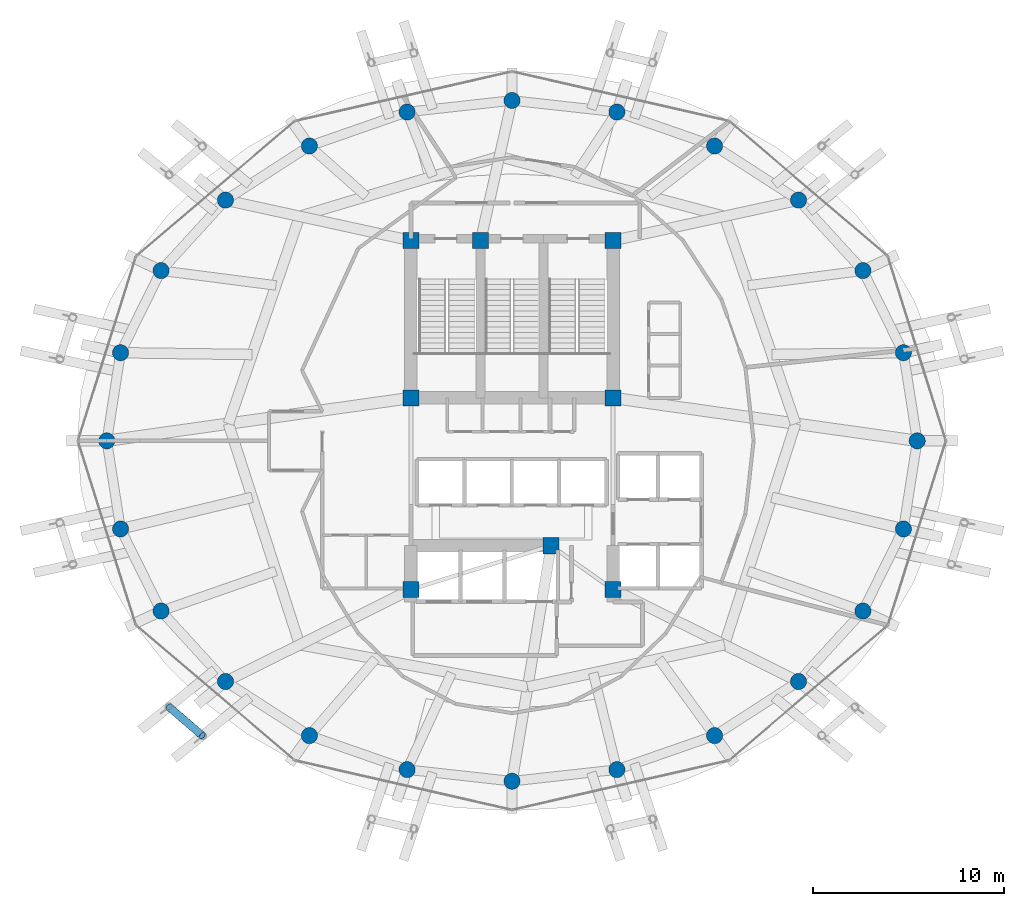
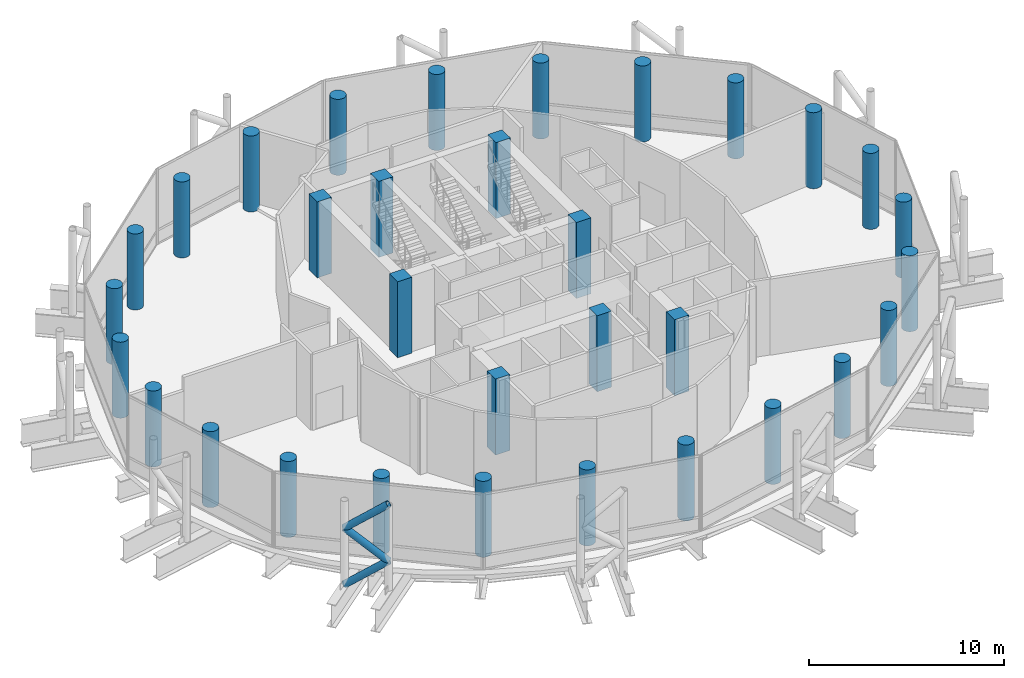
# One storey, part 1 of 31: 32 columns, 3 members.
"""IFC4 building model written with IfcOpenShell, lengths in metres."""

import ifcopenshell
import ifcopenshell.guid

model = None  # the IFC model being written
_history = None  # IfcOwnerHistory: only IFC2X3 demands one
_inside = {}  # id of a spatial element -> (the spatial element, [elements in it])
_under = {}  # id of a project, library or spatial element -> (it, [spatial elements below it])
_declared = {}  # id of a project -> (the project, [libraries it declares])
_typed = {}  # id of a type object -> (the type object, [elements of that type])
_made_of = {}  # id of a material, layer set ... -> (it, [elements and type objects made of it])


def new_model(schema):
    """Start an empty IFC model of exactly this schema.

    Asked for "IFC4X3", IfcOpenShell would pick the latest addendum, in which some entities
    have other attributes; the version numbers below select the first issue.
    IFC2X3 requires an IfcOwnerHistory on every rooted entity: one is made here for all.
    """
    global model, _history
    if schema == "IFC4X3":
        model = ifcopenshell.file(schema_version=(4, 3, 0, 0))
    else:
        model = ifcopenshell.file(schema=schema)
    _inside.clear()
    _under.clear()
    _declared.clear()
    _typed.clear()
    _made_of.clear()
    _history = None
    if model.schema == "IFC2X3":
        org = make("IfcOrganization", Name="unknown")
        user = make(
            "IfcPersonAndOrganization",
            ThePerson=make("IfcPerson", FamilyName="unknown"),
            TheOrganization=org,
        )
        app = make(
            "IfcApplication",
            ApplicationDeveloper=org,
            Version="unknown",
            ApplicationFullName="unknown",
            ApplicationIdentifier="unknown",
        )
        _history = make(
            "IfcOwnerHistory",
            OwningUser=user,
            OwningApplication=app,
            ChangeAction="ADDED",
            CreationDate=0,
        )
    return model


def make(cls, **values):
    """One entity of the class cls with the attributes given. An attribute that is None is left unset."""
    return model.create_entity(
        cls, **{name: value for name, value in values.items() if value is not None}
    )


def rooted(cls, **values):
    """An entity with a GlobalId (a new one), such as an element, a storey or a relation."""
    return make(cls, GlobalId=ifcopenshell.guid.new(), OwnerHistory=_history, **values)


def si_unit(unit_type, name, prefix=None):
    """IfcSIUnit, for example si_unit("LENGTHUNIT", "METRE", prefix="MILLI")."""
    return make("IfcSIUnit", UnitType=unit_type, Prefix=prefix, Name=name)


def assignment(units):
    """IfcUnitAssignment: the units of a project."""
    return None if units is None else make("IfcUnitAssignment", Units=units)


def point(xyz):
    """IfcCartesianPoint."""
    return None if xyz is None else make("IfcCartesianPoint", Coordinates=xyz)


def direction(xyz):
    """IfcDirection."""
    return None if xyz is None else make("IfcDirection", DirectionRatios=xyz)


def frame(location, z_axis=None, x_axis=None):
    """IfcAxis2Placement3D, a coordinate frame: its origin and axes. An axis left out is left unset."""
    return make(
        "IfcAxis2Placement3D",
        Location=point(location),
        Axis=direction(z_axis),
        RefDirection=direction(x_axis),
    )


def frame_2d(location, x_axis=None):
    """IfcAxis2Placement2D, a coordinate frame in the plane: its origin and x axis."""
    return make(
        "IfcAxis2Placement2D", Location=point(location), RefDirection=direction(x_axis)
    )


def origin():
    """The frame at (0, 0, 0) with its axes left unset."""
    return frame((0.0, 0.0, 0.0))


def origin_2d():
    """The frame at (0, 0) in the plane with its x axis left unset."""
    return frame_2d((0.0, 0.0))


def place(relative_to, where):
    """IfcLocalPlacement: puts the frame where relative to a parent placement (None: the world)."""
    return make(
        "IfcLocalPlacement", PlacementRelTo=relative_to, RelativePlacement=where
    )


def context(
    kind, dimensions, precision=None, world=None, true_north=None, identifier=None
):
    """IfcGeometricRepresentationContext, for example the 3D "Model" context."""
    return make(
        "IfcGeometricRepresentationContext",
        ContextIdentifier=identifier,
        ContextType=kind,
        CoordinateSpaceDimension=dimensions,
        Precision=precision,
        WorldCoordinateSystem=world,
        TrueNorth=true_north,
    )


def subcontext(parent, identifier, kind, view, scale=None):
    """IfcGeometricRepresentationSubContext, for example "Body" below "Model"."""
    return make(
        "IfcGeometricRepresentationSubContext",
        ContextIdentifier=identifier,
        ContextType=kind,
        ParentContext=parent,
        TargetScale=scale,
        TargetView=view,
    )


def project(units=None, contexts=None):
    """IfcProject with its units and contexts."""
    return rooted(
        "IfcProject",
        Name="project",
        RepresentationContexts=contexts,
        UnitsInContext=assignment(units),
    )


def spatial(cls, under=None, at=None, **own):
    """A site, building, storey or space (cls), placed at a placement, below another one or the project."""
    s = rooted(cls, ObjectPlacement=at, **own)
    if under is not None:
        _under.setdefault(under.id(), (under, []))[1].append(s)
    return s


def profile(cls, at=None, kind="AREA", **sizes):
    """A parametric profile (cls). Its sizes go by their IFC names, for example OverallWidth=200.0."""
    return make(cls, ProfileType=kind, Position=at, **sizes)


def rectangle(**sizes):
    """IfcRectangleProfileDef."""
    return profile("IfcRectangleProfileDef", **sizes)


def circle(**sizes):
    """IfcCircleProfileDef."""
    return profile("IfcCircleProfileDef", **sizes)


def hollow_circle(**sizes):
    """IfcCircleHollowProfileDef."""
    return profile("IfcCircleHollowProfileDef", **sizes)


def extrude(swept, where, along, depth):
    """IfcExtrudedAreaSolid: the profile swept, set in the frame where, extruded along a direction by depth."""
    return make(
        "IfcExtrudedAreaSolid",
        SweptArea=swept,
        Position=where,
        ExtrudedDirection=direction(along),
        Depth=depth,
    )


def shape(context_of_items, identifier, shape_type, items):
    """IfcShapeRepresentation: the items that make up one representation, for example the "Body"."""
    return make(
        "IfcShapeRepresentation",
        ContextOfItems=context_of_items,
        RepresentationIdentifier=identifier,
        RepresentationType=shape_type,
        Items=items,
    )


def material(Name=None, Category=None):
    """IfcMaterial."""
    return make("IfcMaterial", Name=Name, Category=Category)


def material_profile(
    of_material, cross_section, Name=None, Category=None, Priority=None
):
    """IfcMaterialProfile: a cross section and its material."""
    return make(
        "IfcMaterialProfile",
        Name=Name,
        Material=of_material,
        Profile=cross_section,
        Priority=Priority,
        Category=Category,
    )


def profile_set(profiles, Name=None, composite=None):
    """IfcMaterialProfileSet."""
    return make(
        "IfcMaterialProfileSet",
        Name=Name,
        MaterialProfiles=profiles,
        CompositeProfile=composite,
    )


def made_of(thing, what):
    """Note that an element or type object is made of a material, layer set ...; save() writes the relation."""
    if what is not None:
        _made_of.setdefault(what.id(), (what, []))[1].append(thing)
    return thing


def type_object(cls, material=None, **own):
    """A type object (cls), such as IfcWallType, which elements share."""
    return made_of(rooted(cls, **own), material)


def element(
    cls,
    number,
    at=None,
    inside=None,
    cuts=None,
    type_object=None,
    material=None,
    context=None,
    identifier="Body",
    shape_type=None,
    held_by="IfcProductDefinitionShape",
    body=None,
    shapes=None,
    **own,
):
    """One element of the class cls, such as IfcWall. Its Tag is "e" and its number.

    at: its placement. inside: the storey or other place that contains it. cuts: it is an
    opening in that element (IfcRelVoidsElement). A single representation is given by context,
    identifier, shape_type and body (its items); several are given by shapes. held_by: the class
    of the entity that holds the representations. save() writes the other relations.
    """
    e = rooted(cls, Tag="e%d" % number, ObjectPlacement=at, **own)
    if body is not None:
        shapes = [shape(context, identifier, shape_type, body)]
    if shapes is not None:
        e.Representation = make(held_by, Representations=shapes)
    if inside is not None:
        _inside.setdefault(inside.id(), (inside, []))[1].append(e)
    if cuts is not None:
        rooted(
            "IfcRelVoidsElement", RelatingBuildingElement=cuts, RelatedOpeningElement=e
        )
    if type_object is not None:
        _typed.setdefault(type_object.id(), (type_object, []))[1].append(e)
    return made_of(e, material)


def aggregate(whole, parts):
    """IfcRelAggregates: a whole, such as a stair, and the parts it consists of."""
    return rooted("IfcRelAggregates", RelatingObject=whole, RelatedObjects=parts)


def save(model, path):
    """Write the relations noted so far, then the file.

    IfcRelAggregates (storeys below a building ...), IfcRelContainedInSpatialStructure (elements
    in a storey), IfcRelDefinesByType, IfcRelAssociatesMaterial and IfcRelDeclares: one each for
    every whole, place, type object, material and project.
    """
    for whole, parts in _under.values():
        aggregate(whole, parts)
    for where, things in _inside.values():
        rooted(
            "IfcRelContainedInSpatialStructure",
            RelatedElements=things,
            RelatingStructure=where,
        )
    for kind, things in _typed.values():
        rooted("IfcRelDefinesByType", RelatedObjects=things, RelatingType=kind)
    for what, things in _made_of.values():
        rooted("IfcRelAssociatesMaterial", RelatedObjects=things, RelatingMaterial=what)
    for by, libraries in _declared.values():
        rooted("IfcRelDeclares", RelatingContext=by, RelatedDefinitions=libraries)
    model.write(path)


model = new_model("IFC4")

# Units and contexts
model_context = context("Model", 3, precision=1e-05, world=origin(), true_north=direction((0.0, 1.0)))
body_context = subcontext(model_context, "Body", "Model", "MODEL_VIEW")
ifc_project = project(units=[si_unit("LENGTHUNIT", "METRE"), si_unit("AREAUNIT", "SQUARE_METRE"), si_unit("VOLUMEUNIT", "CUBIC_METRE"), si_unit("PLANEANGLEUNIT", "RADIAN"), si_unit("MASSUNIT", "GRAM", prefix="KILO")], contexts=[model_context])

# Site, building, storey
site_placement = place(None, origin())
site = spatial("IfcSite", under=ifc_project, at=site_placement, CompositionType="ELEMENT")
building_placement = place(site_placement, origin())
building = spatial("IfcBuilding", under=site, at=building_placement, Name="Nuhasar Tower", CompositionType="ELEMENT")
storey_placement = place(building_placement, frame((0.0, 0.0, 203.14990234375)))
storey = spatial("IfcBuildingStorey", under=building, at=storey_placement, Name="L49", CompositionType="ELEMENT", Elevation=203.14990234375)

# Columns
ifc_material_1 = material(Name="Concrete C55/67", Category="concrete")
ifc_material_profile_1 = material_profile(ifc_material_1, circle(Radius=0.425048828125, at=origin_2d()), Name="CFT850")
ifc_profile_set_1 = profile_set([ifc_material_profile_1], Name="Concrete C55/67")
column_type_1 = type_object("IfcColumnType", Name="COL-CFT-850", PredefinedType="COLUMN", material=ifc_profile_set_1)
for number, where, z_axis, x_axis, name in (
    (1, (60.25, 26.800048828125, 0.0), (0.0, 0.0, 1.0), (1.0, 0.0, 0.0), "L49 Perimeter Composite Column TC-01"),
    (2, (59.52587890625, 31.419921875, 0.0), (0.0, 0.0, 1.0), (1.0, 0.0, 0.0), "L49 Perimeter Composite Column TC-02"),
    (3, (57.403076171875, 35.72509765625, 0.0), (0.0, 0.0, 1.0), (1.0, 0.0, 0.0), "L49 Perimeter Composite Column TC-03"),
    (4, (54.02587890625, 39.422119140625, 0.0), (0.0, 0.0, 1.0), (1.0, 0.0, 0.0), "L49 Perimeter Composite Column TC-04"),
    (5, (49.625, 42.259033203125, 0.0), (0.0, 0.0, 1.0), (1.0, 0.0, 0.0), "L49 Perimeter Composite Column TC-05"),
    (6, (44.5, 44.0419921875, 0.0), (0.0, 0.0, 1.0), (1.0, 0.0, 0.0), "L49 Perimeter Composite Column TC-06"),
    (7, (39.0, 44.64990234375, 0.0), (0.0, 0.0, 1.0), (1.0, 0.0, 0.0), "L49 Perimeter Composite Column TC-07"),
    (8, (33.5, 44.0419921875, 0.0), (0.0, 0.0, 1.0), (1.0, 0.0, 0.0), "L49 Perimeter Composite Column TC-08"),
    (9, (28.375, 42.259033203125, 0.0), (0.0, 0.0, 1.0), (1.0, 0.0, 0.0), "L49 Perimeter Composite Column TC-09"),
    (10, (23.97412109375, 39.422119140625, 0.0), (0.0, 0.0, 1.0), (1.0, 0.0, 0.0), "L49 Perimeter Composite Column TC-10"),
    (11, (20.596923828125, 35.72509765625, 0.0), (0.0, 0.0, 1.0), (1.0, 0.0, 0.0), "L49 Perimeter Composite Column TC-11"),
    (12, (18.47412109375, 31.419921875, 0.0), (0.0, 0.0, 1.0), (1.0, 0.0, 0.0), "L49 Perimeter Composite Column TC-12"),
    (13, (17.75, 26.800048828125, 0.0), (0.0, 0.0, 1.0), (1.0, 0.0, 0.0), "L49 Perimeter Composite Column TC-13"),
    (14, (18.47412109375, 22.179931640625, 0.0), (0.0, 0.0, 1.0), (1.0, 0.0, 0.0), "L49 Perimeter Composite Column TC-14"),
    (15, (20.596923828125, 17.875, 0.0), (0.0, 0.0, 1.0), (1.0, 0.0, 0.0), "L49 Perimeter Composite Column TC-15"),
    (16, (23.97412109375, 14.177978515625, 0.0), (0.0, 0.0, 1.0), (1.0, 0.0, 0.0), "L49 Perimeter Composite Column TC-16"),
    (17, (28.375, 11.341064453125, 0.0), (0.0, 0.0, 1.0), (1.0, 0.0, 0.0), "L49 Perimeter Composite Column TC-17"),
    (18, (33.5, 9.55810546875, 0.0), (0.0, 0.0, 1.0), (1.0, 0.0, 0.0), "L49 Perimeter Composite Column TC-18"),
    (19, (39.0, 8.949951171875, 0.0), (0.0, 0.0, 1.0), (1.0, 0.0, 0.0), "L49 Perimeter Composite Column TC-19"),
    (20, (44.5, 9.55810546875, 0.0), (0.0, 0.0, 1.0), (1.0, 0.0, 0.0), "L49 Perimeter Composite Column TC-20"),
    (21, (49.625, 11.341064453125, 0.0), (0.0, 0.0, 1.0), (1.0, 0.0, 0.0), "L49 Perimeter Composite Column TC-21"),
    (22, (54.02587890625, 14.177978515625, 0.0), (0.0, 0.0, 1.0), (1.0, 0.0, 0.0), "L49 Perimeter Composite Column TC-22"),
    (23, (57.403076171875, 17.875, 0.0), (0.0, 0.0, 1.0), (1.0, 0.0, 0.0), "L49 Perimeter Composite Column TC-23"),
    (24, (59.52587890625, 22.179931640625, 0.0), (0.0, 0.0, 1.0), (1.0, 0.0, 0.0), "L49 Perimeter Composite Column TC-24"),
):
    element("IfcColumn", number, at=place(storey_placement, frame(where, z_axis=z_axis, x_axis=x_axis)), inside=storey, type_object=column_type_1, Name=name, PredefinedType="COLUMN", context=body_context, shape_type="SweptSolid", body=[
        extrude(circle(Radius=0.425048828125, at=origin_2d()), origin(), (0.0, 0.0, 1.0), 4.760009765625),
    ])
ifc_material_profile_2 = material_profile(ifc_material_1, rectangle(XDim=0.85009765625, YDim=0.85009765625, at=origin_2d()), Name="RC850X850")
ifc_profile_set_2 = profile_set([ifc_material_profile_2], Name="Concrete C55/67")
column_type_2 = type_object("IfcColumnType", Name="PIL-RC-850", PredefinedType="PILASTER", material=ifc_profile_set_2)
for number, where, z_axis, x_axis, name in (
    (25, (33.699951171875, 19.0, 0.0), (0.0, 0.0, 1.0), (1.0, 0.0, 0.0), "L49 Core Boundary Pilaster CC-01"),
    (26, (41.050048828125, 21.300048828125, 0.0), (0.0, 0.0, 1.0), (1.0, 0.0, 0.0), "L49 Core Boundary Pilaster CC-02"),
    (27, (44.300048828125, 19.0, 0.0), (0.0, 0.0, 1.0), (1.0, 0.0, 0.0), "L49 Core Boundary Pilaster CC-03"),
    (28, (44.300048828125, 29.050048828125, 0.0), (0.0, 0.0, 1.0), (1.0, 0.0, 0.0), "L49 Core Boundary Pilaster CC-04"),
    (29, (44.300048828125, 37.300048828125, 0.0), (0.0, 0.0, 1.0), (1.0, 0.0, 0.0), "L49 Core Boundary Pilaster CC-05"),
    (30, (37.35009765625, 37.300048828125, 0.0), (0.0, 0.0, 1.0), (1.0, 0.0, 0.0), "L49 Core Boundary Pilaster CC-06"),
    (31, (33.699951171875, 37.300048828125, 0.0), (0.0, 0.0, 1.0), (1.0, 0.0, 0.0), "L49 Core Boundary Pilaster CC-07"),
    (32, (33.699951171875, 29.050048828125, 0.0), (0.0, 0.0, 1.0), (1.0, 0.0, 0.0), "L49 Core Boundary Pilaster CC-08"),
):
    element("IfcColumn", number, at=place(storey_placement, frame(where, z_axis=z_axis, x_axis=x_axis)), inside=storey, type_object=column_type_2, Name=name, PredefinedType="PILASTER", context=body_context, shape_type="SweptSolid", body=[
        extrude(rectangle(XDim=0.85009765625, YDim=0.85009765625, at=origin_2d()), origin(), (0.0, 0.0, 1.0), 4.760009765625),
    ])

# Members
ifc_material_2 = material(Name="Steel S460", Category="steel")
ifc_material_profile_3 = material_profile(ifc_material_2, hollow_circle(Radius=0.203125, WallThickness=0.01904296875, at=origin_2d()), Name="HSS406.4X19.1")
ifc_profile_set_3 = profile_set([ifc_material_profile_3], Name="Steel S460")
member_type = type_object("IfcMemberType", Name="EXO-BRONZE-406", PredefinedType="BRACE", material=ifc_profile_set_3)
member_1_placement = place(storey_placement, frame((21.01611328125, 12.842041015625, -0.31982421875), z_axis=(0.60057303577, -0.516242256702, 0.610578382439), x_axis=(0.65185738425, 0.758341579104, 0.0)))
element("IfcMember", 33, at=member_1_placement, inside=storey, type_object=member_type, Name="L49 Bronze Diagrid Brace W1-08", PredefinedType="BRACE", context=body_context, shape_type="SweptSolid", body=[
    extrude(hollow_circle(Radius=0.203125, WallThickness=0.01904296875, at=origin_2d()), origin(), (0.0, 0.0, 1.0), 2.90380859375),
])
member_2_placement = place(storey_placement, frame((22.760009765625, 11.343017578125, 1.453125), z_axis=(-0.60044971443, 0.516136251799, 0.610789251722), x_axis=(-0.65185738425, -0.758341579104, 0.0)))
element("IfcMember", 34, at=member_2_placement, inside=storey, type_object=member_type, Name="L49 Bronze Diagrid Brace W2-08", PredefinedType="BRACE", context=body_context, shape_type="SweptSolid", body=[
    extrude(hollow_circle(Radius=0.203125, WallThickness=0.01904296875, at=origin_2d()), origin(), (0.0, 0.0, 1.0), 2.904296875),
])
member_3_placement = place(storey_placement, frame((21.01611328125, 12.842041015625, 3.22705078125), z_axis=(0.60057303577, -0.516242256702, 0.610578382439), x_axis=(0.65185738425, 0.758341579104, 0.0)))
element("IfcMember", 35, at=member_3_placement, inside=storey, type_object=member_type, Name="L49 Bronze Diagrid Brace W3-08", PredefinedType="BRACE", context=body_context, shape_type="SweptSolid", body=[
    extrude(hollow_circle(Radius=0.203125, WallThickness=0.01904296875, at=origin_2d()), origin(), (0.0, 0.0, 1.0), 2.90380859375),
])

save(model, "model.ifc")
